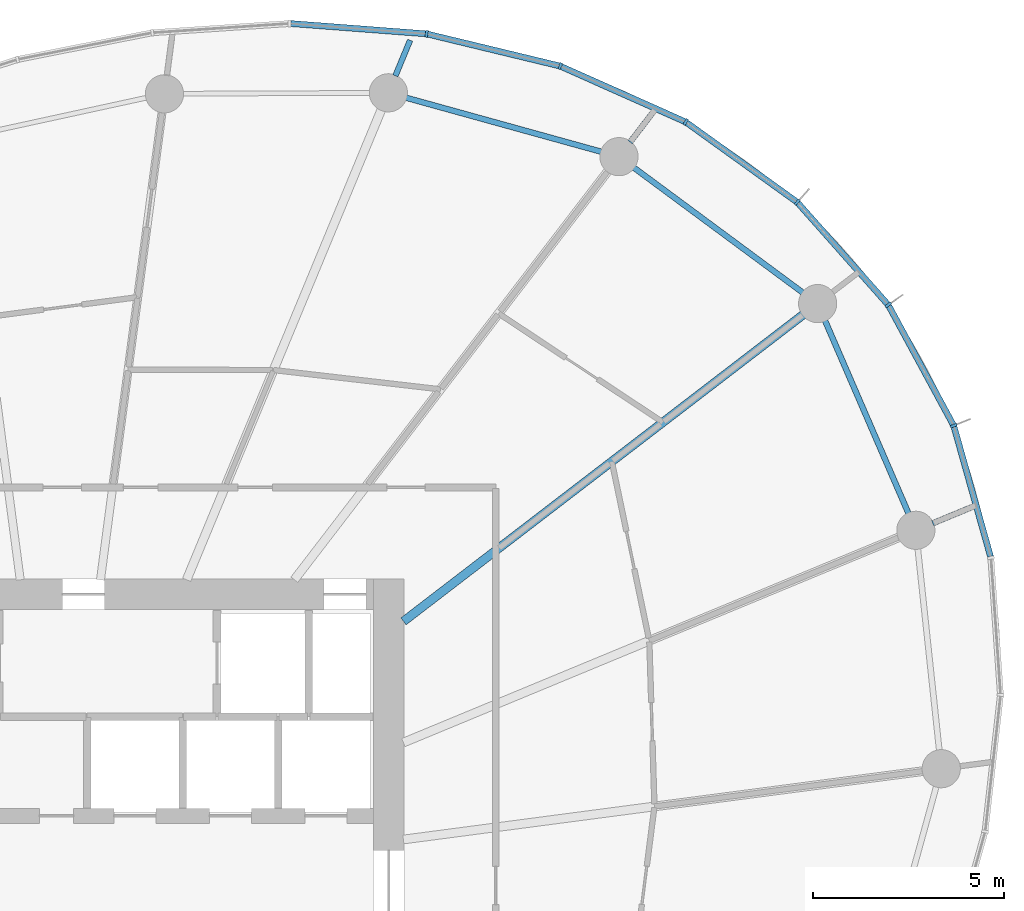
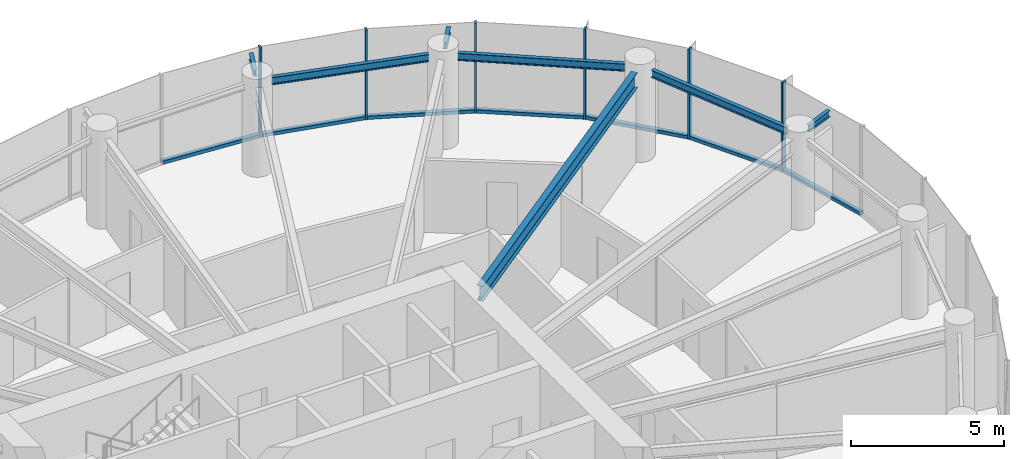
# One storey, part 6 of 15: 13 members, 7 beams, 2 elements without a shape of their own.
"""IFC4 building model written with IfcOpenShell, lengths in metres."""

from ifc_helpers import new_model, si_unit, direction, frame, origin, origin_2d, place, context, subcontext, project, spatial, rectangle, i_section, extrude, source, transform, mapped, material, layer, layer_set, material_profile, profile_set, type_object, element, aggregate, save


model = new_model("IFC4")

# Units and contexts
model_context = context("Model", 3, precision=1e-05, world=origin(), true_north=direction((0.0, 1.0)))
body_context = subcontext(model_context, "Body", "Model", "MODEL_VIEW")
ifc_project = project(units=[si_unit("LENGTHUNIT", "METRE"), si_unit("AREAUNIT", "SQUARE_METRE"), si_unit("VOLUMEUNIT", "CUBIC_METRE"), si_unit("PLANEANGLEUNIT", "RADIAN"), si_unit("MASSUNIT", "GRAM", prefix="KILO")], contexts=[model_context])

# Site, building, storey
site_placement = place(None, origin())
site = spatial("IfcSite", under=ifc_project, at=site_placement, CompositionType="ELEMENT")
building_placement = place(site_placement, origin())
building = spatial("IfcBuilding", under=site, at=building_placement, Name="Spindrift Exchange Tower", CompositionType="ELEMENT")
storey_placement = place(building_placement, frame((0.0, 0.0, 168.199951171875)))
storey = spatial("IfcBuildingStorey", under=building, at=storey_placement, Name="L40", CompositionType="ELEMENT", Elevation=168.199951171875)

# Beams
ifc_material_1 = material(Name="Steel Grade 300", Category="steel")
ifc_material_profile_1 = material_profile(ifc_material_1, i_section(OverallWidth=0.14892578125, OverallDepth=0.298095703125, WebThickness=0.005615234375, FlangeThickness=0.008056640625, FilletRadius=0.012939453125, at=origin_2d()), Name="310UB32.0")
ifc_profile_set_1 = profile_set([ifc_material_profile_1], Name="Steel Grade 300")
beam_type_1 = type_object("IfcBeamType", Name="Edge Beam 310UB32.0 Steel Grade 300", PredefinedType="SPANDREL", material=ifc_profile_set_1)
shared_shape_1 = source(origin(), body_context, "Body", "SweptSolid", [
    extrude(i_section(OverallWidth=0.14892578125, OverallDepth=0.298095703125, WebThickness=0.005615234375, FlangeThickness=0.008056640625, FilletRadius=0.012939453125, at=origin_2d()), origin(), (0.0, 0.0, 1.0), 5.508544921875),
])
beam_1_placement = place(storey_placement, frame((74.205810546875, 57.717529296875, 3.43115234375), z_axis=(-0.397414644433, 0.917639144975, 0.0), x_axis=(-0.917639144975, -0.397414644433, 0.0)))
element("IfcBeam", 1, at=beam_1_placement, inside=storey, type_object=beam_type_1, Name="L40 edge beam E02", PredefinedType="SPANDREL", context=body_context, shape_type="MappedRepresentation", body=[
    mapped(shared_shape_1, transform((0.0, 0.0, 0.0), scale=1.0)),
])
shared_shape_2 = source(origin(), body_context, "Body", "SweptSolid", [
    extrude(i_section(OverallWidth=0.14892578125, OverallDepth=0.298095703125, WebThickness=0.005615234375, FlangeThickness=0.008056640625, FilletRadius=0.012939453125, at=origin_2d()), origin(), (0.0, 0.0, 1.0), 5.509033203125),
])
beam_2_placement = place(storey_placement, frame((71.43994140625, 63.498291015625, 3.43115234375), z_axis=(-0.803991901791, 0.594640245741, 0.0), x_axis=(-0.594640245741, -0.803991901791, 0.0)))
element("IfcBeam", 2, at=beam_2_placement, inside=storey, type_object=beam_type_1, Name="L40 edge beam E03", PredefinedType="SPANDREL", context=body_context, shape_type="MappedRepresentation", body=[
    mapped(shared_shape_2, transform((0.0, 0.0, 0.0), scale=1.0)),
])
shared_shape_3 = source(origin(), body_context, "Body", "SweptSolid", [
    extrude(i_section(OverallWidth=0.14892578125, OverallDepth=0.298095703125, WebThickness=0.005615234375, FlangeThickness=0.008056640625, FilletRadius=0.012939453125, at=origin_2d()), origin(), (0.0, 0.0, 1.0), 5.30517578125),
])
beam_3_placement = place(storey_placement, frame((66.162353515625, 67.1875, 3.43115234375), z_axis=(-0.963757513624, 0.26677978734, 0.0), x_axis=(-0.26677978734, -0.963757513624, 0.0)))
element("IfcBeam", 3, at=beam_3_placement, inside=storey, type_object=beam_type_1, Name="L40 edge beam E04", PredefinedType="SPANDREL", context=body_context, shape_type="MappedRepresentation", body=[
    mapped(shared_shape_3, transform((0.0, 0.0, 0.0), scale=1.0)),
])
ifc_material_profile_2 = material_profile(ifc_material_1, i_section(OverallWidth=0.22802734375, OverallDepth=0.60205078125, WebThickness=0.010498046875, FlangeThickness=0.014892578125, FilletRadius=0.013916015625, at=origin_2d()), Name="610UB101")
ifc_profile_set_2 = profile_set([ifc_material_profile_2], Name="Steel Grade 300")
beam_type_2 = type_object("IfcBeamType", Name="Floor Beam 610UB101 Steel Grade 300", PredefinedType="BEAM", material=ifc_profile_set_2)
shared_shape_4 = source(origin(), body_context, "Body", "SweptSolid", [
    extrude(i_section(OverallWidth=0.22802734375, OverallDepth=0.60205078125, WebThickness=0.010498046875, FlangeThickness=0.014892578125, FilletRadius=0.013916015625, at=origin_2d()), origin(), (0.0, 0.0, 1.0), 13.185546875),
])
beam_4_placement = place(storey_placement, frame((60.984130859375, 54.893798828125, 3.279052734375), z_axis=(0.793357156703, 0.608756455332, 0.0), x_axis=(-0.608756455332, 0.793357156703, 0.0)))
element("IfcBeam", 4, at=beam_4_placement, inside=storey, type_object=beam_type_2, Name="L40 radial beam R03A", PredefinedType="BEAM", context=body_context, shape_type="MappedRepresentation", body=[
    mapped(shared_shape_4, transform((0.0, 0.0, 0.0), scale=1.0)),
])
ifc_material_profile_3 = material_profile(ifc_material_1, i_section(OverallWidth=0.14599609375, OverallDepth=0.251953125, WebThickness=0.006103515625, FlangeThickness=0.008544921875, FilletRadius=0.011962890625, at=origin_2d()), Name="250UB31.4")
ifc_profile_set_3 = profile_set([ifc_material_profile_3], Name="Steel Grade 300")
beam_type_3 = type_object("IfcBeamType", Name="Cantilever Beam 250UB31.4 Steel Grade 300", PredefinedType="BEAM", material=ifc_profile_set_3)
shared_shape_5 = source(origin(), body_context, "Body", "SweptSolid", [
    extrude(i_section(OverallWidth=0.14599609375, OverallDepth=0.251953125, WebThickness=0.006103515625, FlangeThickness=0.008544921875, FilletRadius=0.011962890625, at=origin_2d()), origin(), (0.0, 0.0, 1.0), 1.095458984375),
])
beam_5_placement = place(storey_placement, frame((74.840087890625, 57.460693359375, 3.4541015625), z_axis=(0.923872851141, 0.382699562222, 0.0), x_axis=(-0.382699562222, 0.923872851141, 0.0)))
element("IfcBeam", 5, at=beam_5_placement, inside=storey, type_object=beam_type_3, Name="L40 cantilever beam R02T", PredefinedType="BEAM", context=body_context, shape_type="MappedRepresentation", body=[
    mapped(shared_shape_5, transform((0.0, 0.0, 0.0), scale=1.0)),
])
shared_shape_6 = source(origin(), body_context, "Body", "SweptSolid", [
    extrude(i_section(OverallWidth=0.14599609375, OverallDepth=0.251953125, WebThickness=0.006103515625, FlangeThickness=0.008544921875, FilletRadius=0.011962890625, at=origin_2d()), origin(), (0.0, 0.0, 1.0), 0.93408203125),
])
beam_6_placement = place(storey_placement, frame((66.9169921875, 67.440185546875, 3.4541015625), z_axis=(0.608788178912, 0.793332813652, 0.0), x_axis=(-0.793332813652, 0.608788178912, 0.0)))
element("IfcBeam", 6, at=beam_6_placement, inside=storey, type_object=beam_type_3, Name="L40 cantilever beam R04T", PredefinedType="BEAM", context=body_context, shape_type="MappedRepresentation", body=[
    mapped(shared_shape_6, transform((0.0, 0.0, 0.0), scale=1.0)),
])
shared_shape_7 = source(origin(), body_context, "Body", "SweptSolid", [
    extrude(i_section(OverallWidth=0.14599609375, OverallDepth=0.251953125, WebThickness=0.006103515625, FlangeThickness=0.008544921875, FilletRadius=0.011962890625, at=origin_2d()), origin(), (0.0, 0.0, 1.0), 1.010009765625),
])
beam_7_placement = place(storey_placement, frame((60.770751953125, 69.17431640625, 3.4541015625), z_axis=(0.38265779885, 0.923890149844, 0.0), x_axis=(-0.923890149844, 0.38265779885, 0.0)))
element("IfcBeam", 7, at=beam_7_placement, inside=storey, type_object=beam_type_3, Name="L40 cantilever beam R05T", PredefinedType="BEAM", context=body_context, shape_type="MappedRepresentation", body=[
    mapped(shared_shape_7, transform((0.0, 0.0, 0.0), scale=1.0)),
])

# Curtain wall, member
ifc_material_2 = material(Name="Fritted laminated glass with bronze frame", Category="glass")
ifc_layer = layer(ifc_material_2, 0.179931640625)
ifc_layer_set = layer_set([ifc_layer], Name="ZONE 3 BRONZE FRITTED WALL")
curtain_wall_type = type_object("IfcCurtainWallType", Name="ZONE 3 BRONZE FRITTED WALL", PredefinedType="NOTDEFINED", material=ifc_layer_set)
curtain_wall_1_placement = place(storey_placement, origin())
curtain_wall_1 = element("IfcCurtainWall", 8, at=curtain_wall_1_placement, inside=storey, type_object=curtain_wall_type, Name="L40 Zone 3 Bronze Fritted Wall run 1", PredefinedType="NOTDEFINED")
ifc_material_3 = material(Name="Bronze anodised aluminium", Category="aluminium")
ifc_material_profile_4 = material_profile(ifc_material_3, rectangle(XDim=0.159912109375, YDim=0.1298828125, at=origin_2d()), Name="ZONE 3 BRONZE FRITTED WALL TRANSOM 160X130")
ifc_profile_set_4 = profile_set([ifc_material_profile_4], Name="Bronze anodised aluminium")
member_type_1 = type_object("IfcMemberType", Name="ZONE 3 BRONZE FRITTED WALL TRANSOM 160X130", PredefinedType="USERDEFINED", material=ifc_profile_set_4)
shared_shape_8 = source(origin(), body_context, "Body", "SweptSolid", [
    extrude(rectangle(XDim=0.159912109375, YDim=0.1298828125, at=origin_2d()), origin(), (0.0, 0.0, 1.0), 3.52490234375),
])
member_1_placement = place(storey_placement, frame((73.65283203125, 63.203857421875, 0.06494140625), z_axis=(-0.66333572411, 0.748321934143, 0.0), x_axis=(-0.748321934143, -0.66333572411, 0.0)))
member_1 = element("IfcMember", 9, at=member_1_placement, type_object=member_type_1, Name="L40 transom CW-3.1", ObjectType="TRANSOM", PredefinedType="USERDEFINED", context=body_context, shape_type="MappedRepresentation", body=[
    mapped(shared_shape_8, transform((0.0, 0.0, 0.0), scale=1.0)),
])

curtain_wall_2_placement = place(storey_placement, origin())
curtain_wall_2 = element("IfcCurtainWall", 10, at=curtain_wall_2_placement, inside=storey, type_object=curtain_wall_type, Name="L40 Zone 3 Bronze Fritted Wall run 7", PredefinedType="NOTDEFINED")
member_2_placement = place(storey_placement, frame((75.37158203125, 60.047607421875, 0.06494140625), z_axis=(-0.47631215449, 0.879276254362, 0.0), x_axis=(-0.879276254362, -0.47631215449, 0.0)))
member_2 = element("IfcMember", 11, at=member_2_placement, type_object=member_type_1, Name="L40 transom CW-3.41", ObjectType="TRANSOM", PredefinedType="USERDEFINED", context=body_context, shape_type="MappedRepresentation", body=[
    mapped(shared_shape_8, transform((0.0, 0.0, 0.0), scale=1.0)),
])

# Member
ifc_material_profile_5 = material_profile(ifc_material_3, rectangle(XDim=0.070068359375, YDim=0.179931640625, at=origin_2d()), Name="ZONE 3 BRONZE FRITTED WALL MULLION 70X180")
ifc_profile_set_5 = profile_set([ifc_material_profile_5], Name="Bronze anodised aluminium")
member_type_2 = type_object("IfcMemberType", Name="ZONE 3 BRONZE FRITTED WALL MULLION 70X180", PredefinedType="MULLION", material=ifc_profile_set_5)
shared_shape_9 = source(origin(), body_context, "Body", "SweptSolid", [
    extrude(rectangle(XDim=0.070068359375, YDim=0.179931640625, at=origin_2d()), origin(), (0.0, 0.0, 1.0), 3.580078125),
])
member_3_placement = place(storey_placement, frame((73.676025390625, 63.177734375, 0.0), z_axis=(0.0, 0.0, 1.0), x_axis=(-0.573578614267, 0.819150519291, 0.0)))
member_3 = element("IfcMember", 12, at=member_3_placement, type_object=member_type_2, Name="L40 mullion CW-3.1", PredefinedType="MULLION", context=body_context, shape_type="MappedRepresentation", body=[
    mapped(shared_shape_9, transform((0.0, 0.0, 0.0), scale=1.0)),
])

member_4_placement = place(storey_placement, frame((71.29150390625, 65.86767578125, 0.0), z_axis=(0.0, 0.0, 1.0), x_axis=(-0.742165969565, 0.67021613948, 0.0)))
member_4 = element("IfcMember", 13, at=member_4_placement, type_object=member_type_2, Name="L40 mullion CW-3.2", PredefinedType="MULLION", context=body_context, shape_type="MappedRepresentation", body=[
    mapped(shared_shape_9, transform((0.0, 0.0, 0.0), scale=1.0)),
])

member_5_placement = place(storey_placement, frame((68.372314453125, 67.967041015625, 0.0), z_axis=(0.0, 0.0, 1.0), x_axis=(-0.867184432266, 0.497987108703, 0.0)))
member_5 = element("IfcMember", 14, at=member_5_placement, type_object=member_type_2, Name="L40 mullion CW-3.3", PredefinedType="MULLION", context=body_context, shape_type="MappedRepresentation", body=[
    mapped(shared_shape_9, transform((0.0, 0.0, 0.0), scale=1.0)),
])

member_6_placement = place(storey_placement, frame((65.086669921875, 69.4306640625, 0.0), z_axis=(0.0, 0.0, 1.0), x_axis=(-0.946716153818, 0.322069129381, 0.0)))
member_6 = element("IfcMember", 15, at=member_6_placement, type_object=member_type_2, Name="L40 mullion CW-3.4", PredefinedType="MULLION", context=body_context, shape_type="MappedRepresentation", body=[
    mapped(shared_shape_9, transform((0.0, 0.0, 0.0), scale=1.0)),
])

member_7_placement = place(storey_placement, frame((61.5888671875, 70.274658203125, 0.0), z_axis=(0.0, 0.0, 1.0), x_axis=(-0.987813426271, 0.155642651218, 0.0)))
member_7 = element("IfcMember", 16, at=member_7_placement, type_object=member_type_2, Name="L40 mullion CW-3.5", PredefinedType="MULLION", context=body_context, shape_type="MappedRepresentation", body=[
    mapped(shared_shape_9, transform((0.0, 0.0, 0.0), scale=1.0)),
])

member_8_placement = place(storey_placement, frame((75.38818359375, 60.016845703125, 0.0), z_axis=(0.0, 0.0, 1.0), x_axis=(-0.375963735882, 0.926634377358, 0.0)))
member_8 = element("IfcMember", 17, at=member_8_placement, type_object=member_type_2, Name="L40 mullion CW-3.41", PredefinedType="MULLION", context=body_context, shape_type="MappedRepresentation", body=[
    mapped(shared_shape_9, transform((0.0, 0.0, 0.0), scale=1.0)),
])

shared_shape_10 = source(origin(), body_context, "Body", "SweptSolid", [
    extrude(rectangle(XDim=0.159912109375, YDim=0.1298828125, at=origin_2d()), origin(), (0.0, 0.0, 1.0), 3.525390625),
])
member_9_placement = place(storey_placement, frame((76.35302734375, 56.589599609375, 0.06494140625), z_axis=(-0.270978201411, 0.962585484183, 0.0), x_axis=(-0.962585484183, -0.270978201411, 0.0)))
member_9 = element("IfcMember", 18, at=member_9_placement, type_object=member_type_1, Name="L40 transom CW-3.40", ObjectType="TRANSOM", PredefinedType="USERDEFINED", context=body_context, shape_type="MappedRepresentation", body=[
    mapped(shared_shape_10, transform((0.0, 0.0, 0.0), scale=1.0)),
])

aggregate(curtain_wall_2, [member_9, member_8, member_2])

shared_shape_11 = source(origin(), body_context, "Body", "SweptSolid", [
    extrude(rectangle(XDim=0.159912109375, YDim=0.1298828125, at=origin_2d()), origin(), (0.0, 0.0, 1.0), 3.528076171875),
])
member_10_placement = place(storey_placement, frame((65.052490234375, 69.43896484375, 0.06494140625), z_axis=(-0.972096357449, 0.234581908582, 0.0), x_axis=(-0.234581908582, -0.972096357449, 0.0)))
member_10 = element("IfcMember", 19, at=member_10_placement, type_object=member_type_1, Name="L40 transom CW-3.4", ObjectType="TRANSOM", PredefinedType="USERDEFINED", context=body_context, shape_type="MappedRepresentation", body=[
    mapped(shared_shape_11, transform((0.0, 0.0, 0.0), scale=1.0)),
])

shared_shape_12 = source(origin(), body_context, "Body", "SweptSolid", [
    extrude(rectangle(XDim=0.159912109375, YDim=0.1298828125, at=origin_2d()), origin(), (0.0, 0.0, 1.0), 3.529052734375),
])
member_11_placement = place(storey_placement, frame((61.553955078125, 70.27734375, 0.06494140625), z_axis=(-0.997132098637, 0.075680762863, 0.0), x_axis=(-0.075680762863, -0.997132098637, 0.0)))
member_11 = element("IfcMember", 20, at=member_11_placement, type_object=member_type_1, Name="L40 transom CW-3.5", ObjectType="TRANSOM", PredefinedType="USERDEFINED", context=body_context, shape_type="MappedRepresentation", body=[
    mapped(shared_shape_12, transform((0.0, 0.0, 0.0), scale=1.0)),
])

shared_shape_13 = source(origin(), body_context, "Body", "SweptSolid", [
    extrude(rectangle(XDim=0.159912109375, YDim=0.1298828125, at=origin_2d()), origin(), (0.0, 0.0, 1.0), 3.52685546875),
])
member_12_placement = place(storey_placement, frame((68.34033203125, 67.9814453125, 0.06494140625), z_axis=(-0.913474393808, 0.406896217551, 0.0), x_axis=(-0.406896217551, -0.913474393808, 0.0)))
member_12 = element("IfcMember", 21, at=member_12_placement, type_object=member_type_1, Name="L40 transom CW-3.3", ObjectType="TRANSOM", PredefinedType="USERDEFINED", context=body_context, shape_type="MappedRepresentation", body=[
    mapped(shared_shape_13, transform((0.0, 0.0, 0.0), scale=1.0)),
])

shared_shape_14 = source(origin(), body_context, "Body", "SweptSolid", [
    extrude(rectangle(XDim=0.159912109375, YDim=0.1298828125, at=origin_2d()), origin(), (0.0, 0.0, 1.0), 3.525634765625),
])
member_13_placement = place(storey_placement, frame((71.262939453125, 65.88818359375, 0.06494140625), z_axis=(-0.811838942252, 0.583881436461, 0.0), x_axis=(-0.583881436461, -0.811838942252, 0.0)))
member_13 = element("IfcMember", 22, at=member_13_placement, type_object=member_type_1, Name="L40 transom CW-3.2", ObjectType="TRANSOM", PredefinedType="USERDEFINED", context=body_context, shape_type="MappedRepresentation", body=[
    mapped(shared_shape_14, transform((0.0, 0.0, 0.0), scale=1.0)),
])

aggregate(curtain_wall_1, [member_3, member_1, member_4, member_13, member_5, member_12, member_6, member_10, member_7, member_11])

save(model, "model.ifc")
